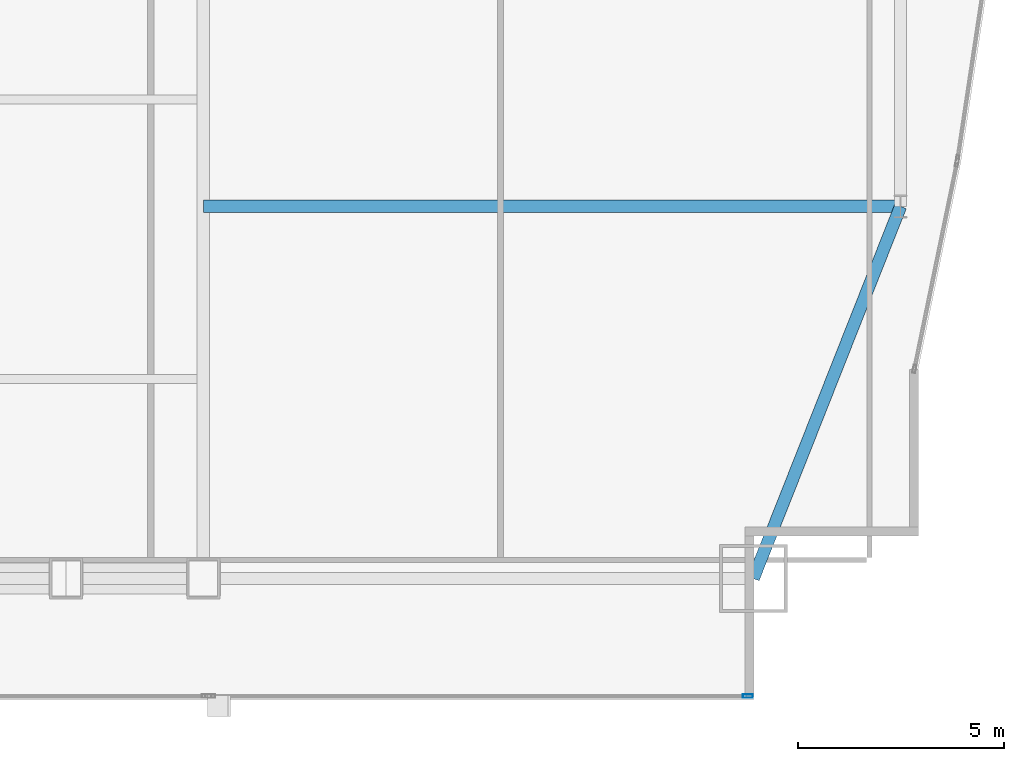
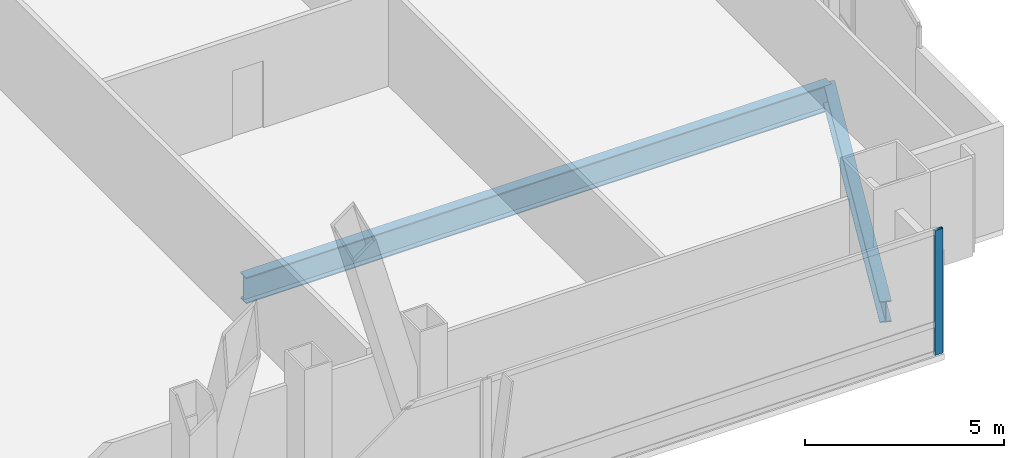
# One storey, part 21 of 36: 2 beams, 1 member, 1 element without a shape of its own.
"""IFC4 building model written with IfcOpenShell, lengths in metres."""

from ifc_helpers import new_model, si_unit, direction, frame, origin, origin_2d, place, context, subcontext, project, spatial, hollow_rectangle, i_section, extrude, material, material_profile, profile_set, type_object, element, aggregate, save


model = new_model("IFC4")

# Units and contexts
model_context = context("Model", 3, precision=1e-05, world=origin(), true_north=direction((0.0, 1.0)))
body_context = subcontext(model_context, "Body", "Model", "MODEL_VIEW")
ifc_project = project(units=[si_unit("LENGTHUNIT", "METRE"), si_unit("AREAUNIT", "SQUARE_METRE"), si_unit("VOLUMEUNIT", "CUBIC_METRE"), si_unit("PLANEANGLEUNIT", "RADIAN"), si_unit("MASSUNIT", "GRAM", prefix="KILO")], contexts=[model_context])

# Site, building, storey
site_placement = place(None, origin())
site = spatial("IfcSite", under=ifc_project, at=site_placement, CompositionType="ELEMENT")
building_placement = place(site_placement, origin())
building = spatial("IfcBuilding", under=site, at=building_placement, Name="Khoronbel Lancet Exchange", CompositionType="ELEMENT")
storey_placement = place(building_placement, frame((0.0, 0.0, 49.800048828125)))
storey = spatial("IfcBuildingStorey", under=building, at=storey_placement, Name="L11", CompositionType="ELEMENT", Elevation=49.800048828125)

# Beams
ifc_material_1 = material(Name="Steel S355", Category="steel")
ifc_material_profile_1 = material_profile(ifc_material_1, i_section(OverallWidth=0.300048828125, OverallDepth=0.800048828125, WebThickness=0.017578125, FlangeThickness=0.032958984375, at=origin_2d()), Name="HEB 800")
ifc_profile_set_1 = profile_set([ifc_material_profile_1], Name="Steel S355")
beam_type_1 = type_object("IfcBeamType", Name="BM-BG2", PredefinedType="BEAM", material=ifc_profile_set_1)
beam_1_placement = place(storey_placement, frame((54.675048828125, 19.199951171875, -0.580078125), z_axis=(1.0, 0.0, 0.0), x_axis=(0.0, 1.0, 0.0)))
element("IfcBeam", 1, at=beam_1_placement, inside=storey, type_object=beam_type_1, Name="Level L11 east lens tie girder LG1E", PredefinedType="BEAM", context=body_context, shape_type="SweptSolid", body=[
    extrude(i_section(OverallWidth=0.300048828125, OverallDepth=0.800048828125, WebThickness=0.017578125, FlangeThickness=0.032958984375, at=origin_2d()), origin(), (0.0, 0.0, 1.0), 16.954833984375),
])
ifc_material_profile_2 = material_profile(ifc_material_1, i_section(OverallWidth=0.300048828125, OverallDepth=0.64990234375, WebThickness=0.01611328125, FlangeThickness=0.031005859375, at=origin_2d()), Name="HEB 650")
ifc_profile_set_2 = profile_set([ifc_material_profile_2], Name="Steel S355")
beam_type_2 = type_object("IfcBeamType", Name="BM-BSP1", PredefinedType="SPANDREL", material=ifc_profile_set_2)
beam_2_placement = place(storey_placement, frame((68.050048828125, 10.14990234375, -0.505126953125), z_axis=(0.367828403855, 0.929893684954, 0.0), x_axis=(-0.929893684954, 0.367828403855, 0.0)))
element("IfcBeam", 2, at=beam_2_placement, inside=storey, type_object=beam_type_2, Name="Level L11 perimeter spandrel beam SP10", PredefinedType="SPANDREL", context=body_context, shape_type="SweptSolid", body=[
    extrude(i_section(OverallWidth=0.300048828125, OverallDepth=0.64990234375, WebThickness=0.01611328125, FlangeThickness=0.031005859375, at=origin_2d()), origin(), (0.0, 0.0, 1.0), 9.732421875),
])

# Curtain wall, member
ifc_material_2 = material(Name="Low-E Solar Control Insulating Glass", Category="glass")
curtain_wall_type = type_object("IfcCurtainWallType", Name="CW-1", PredefinedType="NOTDEFINED", material=ifc_material_2)
curtain_wall_placement = place(storey_placement, origin())
curtain_wall = element("IfcCurtainWall", 3, at=curtain_wall_placement, inside=storey, type_object=curtain_wall_type, Name="Unitised curtain wall CW-L11-SEV", PredefinedType="NOTDEFINED")
ifc_material_3 = material(Name="Bronze-Anodised Aluminium 6063-T6", Category="aluminium")
ifc_material_profile_3 = material_profile(ifc_material_3, hollow_rectangle(XDim=0.0849609375, YDim=0.239990234375, WallThickness=0.006103515625, at=origin_2d()), Name="ALU MULLION 85x240")
ifc_profile_set_3 = profile_set([ifc_material_profile_3], Name="Bronze-Anodised Aluminium 6063-T6")
member_type = type_object("IfcMemberType", Name="MEM-CWM1", PredefinedType="MULLION", material=ifc_profile_set_3)
member_placement = place(storey_placement, frame((67.91748046875, 7.2900390625, 0.0), z_axis=(0.0, 0.0, 1.0), x_axis=(0.0, 1.0, 0.0)))
member = element("IfcMember", 4, at=member_placement, type_object=member_type, Name="CW1 mullion 2", PredefinedType="MULLION", context=body_context, shape_type="SweptSolid", body=[
    extrude(hollow_rectangle(XDim=0.0849609375, YDim=0.239990234375, WallThickness=0.006103515625, at=origin_2d()), origin(), (0.0, 0.0, 1.0), 3.820068359375),
])
aggregate(curtain_wall, [member])

save(model, "model.ifc")
